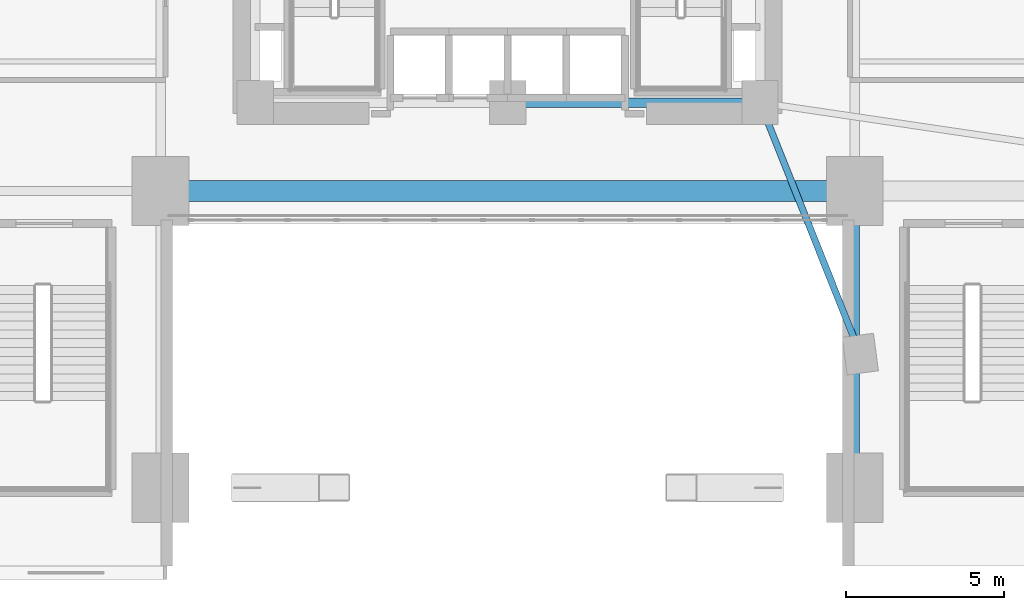
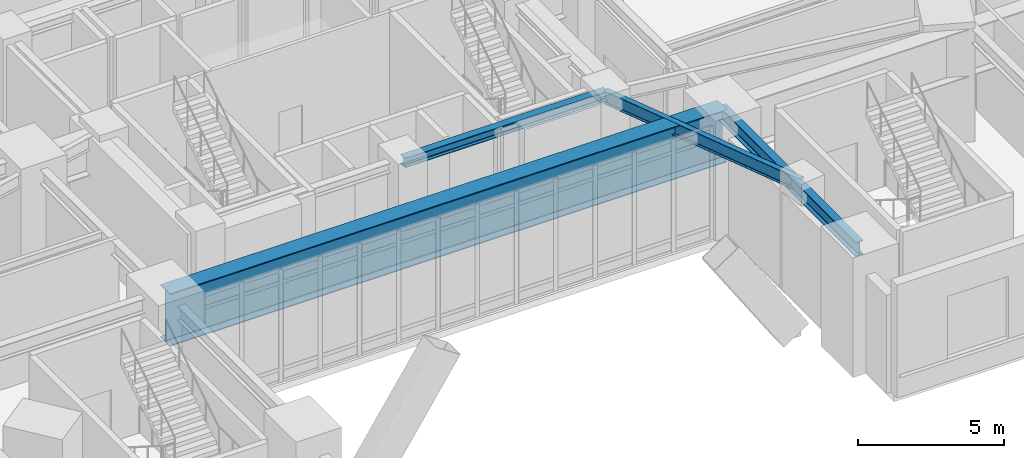
# One storey, part 7 of 26: 4 beams.
"""IFC4 building model written with IfcOpenShell, lengths in metres."""

from ifc_helpers import new_model, si_unit, direction, frame, origin, origin_2d, place, context, subcontext, project, spatial, i_section, extrude, material, material_profile, profile_set, type_object, element, save


model = new_model("IFC4")

# Units and contexts
model_context = context("Model", 3, precision=1e-05, world=origin(), true_north=direction((0.0, 1.0)))
body_context = subcontext(model_context, "Body", "Model", "MODEL_VIEW")
ifc_project = project(units=[si_unit("LENGTHUNIT", "METRE"), si_unit("AREAUNIT", "SQUARE_METRE"), si_unit("VOLUMEUNIT", "CUBIC_METRE"), si_unit("PLANEANGLEUNIT", "RADIAN"), si_unit("MASSUNIT", "GRAM", prefix="KILO")], contexts=[model_context])

# Site, building, storey
site_placement = place(None, origin())
site = spatial("IfcSite", under=ifc_project, at=site_placement, CompositionType="ELEMENT")
building_placement = place(site_placement, origin())
building = spatial("IfcBuilding", under=site, at=building_placement, Name="Ndelora Gate Hotel", CompositionType="ELEMENT")
storey_placement = place(building_placement, frame((0.0, 0.0, 6.0)))
storey = spatial("IfcBuildingStorey", under=building, at=storey_placement, Name="L01", CompositionType="ELEMENT", Elevation=6.0)

# Beams
ifc_material_1 = material(Name="Steel S355", Category="steel")
ifc_material_profile_1 = material_profile(ifc_material_1, i_section(OverallWidth=0.300048828125, OverallDepth=0.39990234375, WebThickness=0.013427734375, FlangeThickness=0.02392578125, FilletRadius=0.027099609375, at=origin_2d()), Name="HEB 400")
ifc_profile_set_1 = profile_set([ifc_material_profile_1], Name="Steel S355")
beam_type_1 = type_object("IfcBeamType", Name="BM-CORE-400", PredefinedType="BEAM", material=ifc_profile_set_1)
beam_1_placement = place(storey_placement, frame((0.0, -6.60009765625, 4.52001953125), z_axis=(1.0, 0.0, 0.0), x_axis=(0.0, 1.0, 0.0)))
element("IfcBeam", 1, at=beam_1_placement, inside=storey, type_object=beam_type_1, Name="L01 Core Tie Girder CC2-CC3", PredefinedType="BEAM", context=body_context, shape_type="SweptSolid", body=[
    extrude(i_section(OverallWidth=0.300048828125, OverallDepth=0.39990234375, WebThickness=0.013427734375, FlangeThickness=0.02392578125, FilletRadius=0.027099609375, at=origin_2d()), origin(), (0.0, 0.0, 1.0), 8.0),
])
ifc_material_profile_2 = material_profile(ifc_material_1, i_section(OverallWidth=0.300048828125, OverallDepth=0.60009765625, WebThickness=0.015380859375, FlangeThickness=0.030029296875, FilletRadius=0.027099609375, at=origin_2d()), Name="HEB 600")
ifc_profile_set_2 = profile_set([ifc_material_profile_2], Name="Steel S355")
beam_type_2 = type_object("IfcBeamType", Name="BM-POD-600", PredefinedType="BEAM", material=ifc_profile_set_2)
beam_2_placement = place(storey_placement, frame((11.0, -18.800048828125, 4.419921875), z_axis=(0.0, 1.0, 0.0), x_axis=(-1.0, 0.0, 0.0)))
element("IfcBeam", 2, at=beam_2_placement, inside=storey, type_object=beam_type_2, Name="L01 Podium Longitudinal Girder X=+11.0", PredefinedType="BEAM", context=body_context, shape_type="SweptSolid", body=[
    extrude(i_section(OverallWidth=0.300048828125, OverallDepth=0.60009765625, WebThickness=0.015380859375, FlangeThickness=0.030029296875, FilletRadius=0.027099609375, at=origin_2d()), origin(), (0.0, 0.0, 1.0), 9.400146484375),
])
ifc_material_profile_3 = material_profile(ifc_material_1, i_section(OverallWidth=0.2099609375, OverallDepth=0.550048828125, WebThickness=0.010986328125, FlangeThickness=0.01708984375, FilletRadius=0.02392578125, at=origin_2d()), Name="IPE 550")
ifc_profile_set_3 = profile_set([ifc_material_profile_3], Name="Steel S355")
beam_type_3 = type_object("IfcBeamType", Name="BM-RAD-550", PredefinedType="BEAM", material=ifc_profile_set_3)
beam_3_placement = place(storey_placement, frame((8.0, -6.60009765625, 4.445068359375), z_axis=(0.37056142644, -0.92880796144, 0.0), x_axis=(0.92880796144, 0.37056142644, 0.0)))
element("IfcBeam", 3, at=beam_3_placement, inside=storey, type_object=beam_type_3, Name="L01 Tower Root Radial Tie Beam 8", PredefinedType="BEAM", context=body_context, shape_type="SweptSolid", body=[
    extrude(i_section(OverallWidth=0.2099609375, OverallDepth=0.550048828125, WebThickness=0.010986328125, FlangeThickness=0.01708984375, FilletRadius=0.02392578125, at=origin_2d()), origin(), (0.0, 0.0, 1.0), 8.580078125),
])
ifc_material_2 = material(Name="Steel S460", Category="steel")
ifc_material_profile_4 = material_profile(ifc_material_2, i_section(OverallWidth=0.64990234375, OverallDepth=2.199951171875, WebThickness=0.030029296875, FlangeThickness=0.0400390625, FilletRadius=0.02392578125, at=origin_2d()), Name="PG 2200x650x40")
ifc_profile_set_4 = profile_set([ifc_material_profile_4], Name="Steel S460")
beam_type_4 = type_object("IfcBeamType", Name="BM-TR-2200", PredefinedType="BEAM", material=ifc_profile_set_4)
beam_4_placement = place(storey_placement, frame((-11.0, -9.39990234375, 3.6201171875), z_axis=(1.0, 0.0, 0.0), x_axis=(0.0, 1.0, 0.0)))
element("IfcBeam", 4, at=beam_4_placement, inside=storey, type_object=beam_type_4, Name="L01 structural beam TG-0", PredefinedType="BEAM", context=body_context, shape_type="SweptSolid", body=[
    extrude(i_section(OverallWidth=0.64990234375, OverallDepth=2.199951171875, WebThickness=0.030029296875, FlangeThickness=0.0400390625, FilletRadius=0.02392578125, at=origin_2d()), origin(), (0.0, 0.0, 1.0), 22.0),
])

save(model, "model.ifc")
